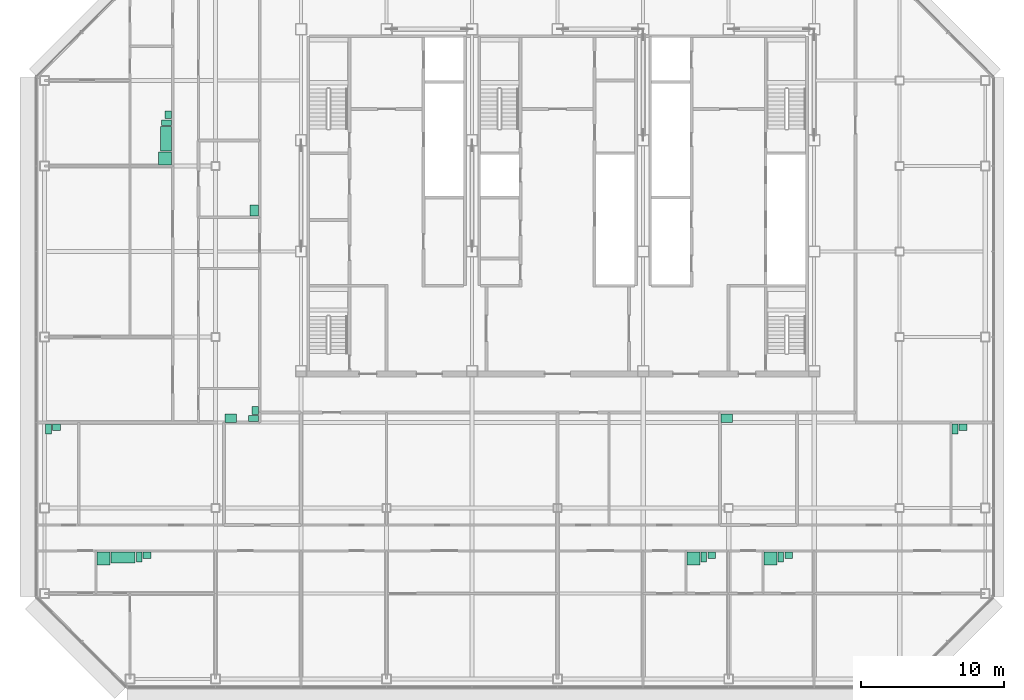
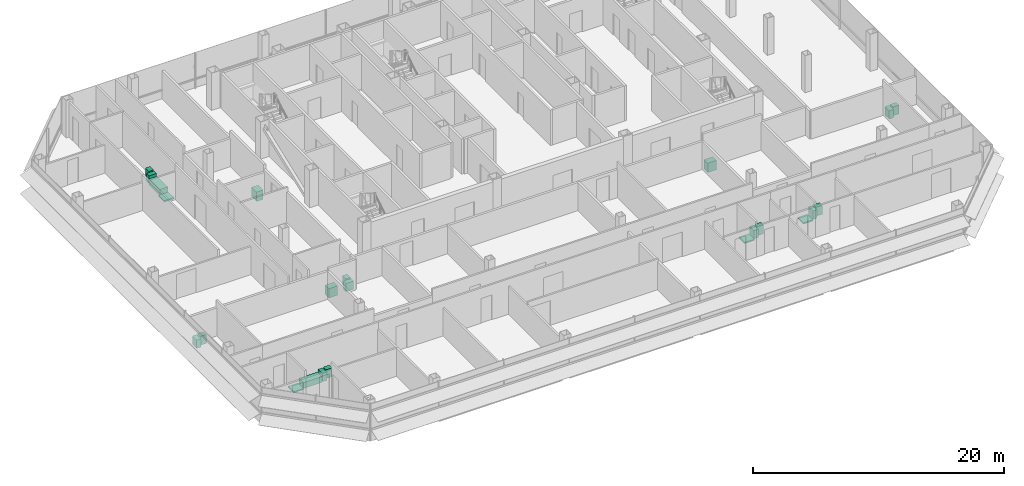
# One storey, part 27 of 27: 23 sanitary terminals.
"""IFC4 building model written with IfcOpenShell, lengths in metres."""

from ifc_helpers import new_model, si_unit, direction, frame, origin, origin_2d, place, context, subcontext, project, spatial, rectangle, extrude, element, save


model = new_model("IFC4")

# Units and contexts
model_context = context("Model", 3, precision=1e-05, world=origin(), true_north=direction((0.0, 1.0)))
body_context = subcontext(model_context, "Body", "Model", "MODEL_VIEW")
ifc_project = project(units=[si_unit("LENGTHUNIT", "METRE"), si_unit("AREAUNIT", "SQUARE_METRE"), si_unit("VOLUMEUNIT", "CUBIC_METRE"), si_unit("PLANEANGLEUNIT", "RADIAN"), si_unit("MASSUNIT", "GRAM", prefix="KILO")], contexts=[model_context])

# Site, building, storey
site_placement = place(None, origin())
site = spatial("IfcSite", under=ifc_project, at=site_placement, CompositionType="ELEMENT")
building_placement = place(site_placement, origin())
building = spatial("IfcBuilding", under=site, at=building_placement, Name="Sorahane Residences", CompositionType="ELEMENT")
storey_placement = place(building_placement, frame((0.0, 0.0, 239.60009765625)))
storey = spatial("IfcBuildingStorey", under=building, at=storey_placement, Name="L56", CompositionType="ELEMENT", Elevation=239.60009765625)

# Sanitary terminals
sanitary_terminal_1_placement = place(storey_placement, frame((-7.8701171875, 8.449951171875, -0.000244140625), z_axis=(0.0, 0.0, 1.0), x_axis=(1.0, 0.0, 0.0)))
element("IfcSanitaryTerminal", 1, at=sanitary_terminal_1_placement, inside=storey, Name="Shower tray En-suite bathroom 56A", PredefinedType="SHOWER", context=body_context, shape_type="SweptSolid", body=[
    extrude(rectangle(XDim=0.89990234375, YDim=0.89990234375, at=origin_2d()), origin(), (0.0, 0.0, 1.0), 0.1201171875),
])
sanitary_terminal_2_placement = place(storey_placement, frame((-6.489990234375, 8.52490234375, -0.000244140625), z_axis=(0.0, 0.0, 1.0), x_axis=(1.0, 0.0, 0.0)))
element("IfcSanitaryTerminal", 2, at=sanitary_terminal_2_placement, inside=storey, Name="Bath En-suite bathroom 56A", PredefinedType="BATH", context=body_context, shape_type="SweptSolid", body=[
    extrude(rectangle(XDim=1.699951171875, YDim=0.75, at=origin_2d()), origin(), (0.0, 0.0, 1.0), 0.56005859375),
])
sanitary_terminal_3_placement = place(storey_placement, frame((-5.360107421875, 8.550048828125, 0.0), z_axis=(0.0, 0.0, 1.0), x_axis=(1.0, 0.0, 0.0)))
element("IfcSanitaryTerminal", 3, at=sanitary_terminal_3_placement, inside=storey, Name="WC pan En-suite bathroom 56A", PredefinedType="TOILETPAN", context=body_context, shape_type="SweptSolid", body=[
    extrude(rectangle(XDim=0.39990234375, YDim=0.699951171875, at=origin_2d()), origin(), (0.0, 0.0, 1.0), 0.800048828125),
])
sanitary_terminal_4_placement = place(storey_placement, frame((-4.804931640625, 8.675048828125, -0.000244140625), z_axis=(0.0, 0.0, 1.0), x_axis=(1.0, 0.0, 0.0)))
element("IfcSanitaryTerminal", 4, at=sanitary_terminal_4_placement, inside=storey, Name="Wash basin En-suite bathroom 56A", PredefinedType="WASHHANDBASIN", context=body_context, shape_type="SweptSolid", body=[
    extrude(rectangle(XDim=0.550048828125, YDim=0.449951171875, at=origin_2d()), origin(), (0.0, 0.0, 1.0), 0.85009765625),
])
sanitary_terminal_5_placement = place(storey_placement, frame((-11.719970703125, 17.550048828125, 0.0), z_axis=(0.0, 0.0, 1.0), x_axis=(1.0, 0.0, 0.0)))
element("IfcSanitaryTerminal", 5, at=sanitary_terminal_5_placement, inside=storey, Name="WC pan Powder room 56A", PredefinedType="TOILETPAN", context=body_context, shape_type="SweptSolid", body=[
    extrude(rectangle(XDim=0.39990234375, YDim=0.699951171875, at=origin_2d()), origin(), (0.0, 0.0, 1.0), 0.800048828125),
])
sanitary_terminal_6_placement = place(storey_placement, frame((-11.1650390625, 17.675048828125, -0.000244140625), z_axis=(0.0, 0.0, 1.0), x_axis=(1.0, 0.0, 0.0)))
element("IfcSanitaryTerminal", 6, at=sanitary_terminal_6_placement, inside=storey, Name="Wash basin Powder room 56A", PredefinedType="WASHHANDBASIN", context=body_context, shape_type="SweptSolid", body=[
    extrude(rectangle(XDim=0.550048828125, YDim=0.449951171875, at=origin_2d()), origin(), (0.0, 0.0, 1.0), 0.85009765625),
])
sanitary_terminal_7_placement = place(storey_placement, frame((1.080078125, 18.300048828125, 0.0), z_axis=(0.0, 0.0, 1.0), x_axis=(1.0, 0.0, 0.0)))
element("IfcSanitaryTerminal", 7, at=sanitary_terminal_7_placement, inside=storey, Name="Kitchen sink Kitchen 56A", PredefinedType="SINK", context=body_context, shape_type="SweptSolid", body=[
    extrude(rectangle(XDim=0.800048828125, YDim=0.60009765625, at=origin_2d()), origin(), (0.0, 0.0, 1.0), 0.89990234375),
])
sanitary_terminal_8_placement = place(storey_placement, frame((33.530029296875, 8.449951171875, -0.000244140625), z_axis=(0.0, 0.0, 1.0), x_axis=(1.0, 0.0, 0.0)))
element("IfcSanitaryTerminal", 8, at=sanitary_terminal_8_placement, inside=storey, Name="Shower tray En-suite bathroom 56B", PredefinedType="SHOWER", context=body_context, shape_type="SweptSolid", body=[
    extrude(rectangle(XDim=0.89990234375, YDim=0.89990234375, at=origin_2d()), origin(), (0.0, 0.0, 1.0), 0.1201171875),
])
sanitary_terminal_9_placement = place(storey_placement, frame((34.260009765625, 8.550048828125, 0.0), z_axis=(0.0, 0.0, 1.0), x_axis=(1.0, 0.0, 0.0)))
element("IfcSanitaryTerminal", 9, at=sanitary_terminal_9_placement, inside=storey, Name="WC pan En-suite bathroom 56B", PredefinedType="TOILETPAN", context=body_context, shape_type="SweptSolid", body=[
    extrude(rectangle(XDim=0.39990234375, YDim=0.699951171875, at=origin_2d()), origin(), (0.0, 0.0, 1.0), 0.800048828125),
])
sanitary_terminal_10_placement = place(storey_placement, frame((34.81494140625, 8.675048828125, -0.000244140625), z_axis=(0.0, 0.0, 1.0), x_axis=(1.0, 0.0, 0.0)))
element("IfcSanitaryTerminal", 10, at=sanitary_terminal_10_placement, inside=storey, Name="Wash basin En-suite bathroom 56B", PredefinedType="WASHHANDBASIN", context=body_context, shape_type="SweptSolid", body=[
    extrude(rectangle(XDim=0.550048828125, YDim=0.449951171875, at=origin_2d()), origin(), (0.0, 0.0, 1.0), 0.85009765625),
])
sanitary_terminal_11_placement = place(storey_placement, frame((38.929931640625, 8.449951171875, -0.000244140625), z_axis=(0.0, 0.0, 1.0), x_axis=(1.0, 0.0, 0.0)))
element("IfcSanitaryTerminal", 11, at=sanitary_terminal_11_placement, inside=storey, Name="Shower tray En-suite bathroom 56B-2", PredefinedType="SHOWER", context=body_context, shape_type="SweptSolid", body=[
    extrude(rectangle(XDim=0.89990234375, YDim=0.89990234375, at=origin_2d()), origin(), (0.0, 0.0, 1.0), 0.1201171875),
])
sanitary_terminal_12_placement = place(storey_placement, frame((39.659912109375, 8.550048828125, 0.0), z_axis=(0.0, 0.0, 1.0), x_axis=(1.0, 0.0, 0.0)))
element("IfcSanitaryTerminal", 12, at=sanitary_terminal_12_placement, inside=storey, Name="WC pan En-suite bathroom 56B-2", PredefinedType="TOILETPAN", context=body_context, shape_type="SweptSolid", body=[
    extrude(rectangle(XDim=0.39990234375, YDim=0.699951171875, at=origin_2d()), origin(), (0.0, 0.0, 1.0), 0.800048828125),
])
sanitary_terminal_13_placement = place(storey_placement, frame((40.215087890625, 8.675048828125, -0.000244140625), z_axis=(0.0, 0.0, 1.0), x_axis=(1.0, 0.0, 0.0)))
element("IfcSanitaryTerminal", 13, at=sanitary_terminal_13_placement, inside=storey, Name="Wash basin En-suite bathroom 56B-2", PredefinedType="WASHHANDBASIN", context=body_context, shape_type="SweptSolid", body=[
    extrude(rectangle(XDim=0.550048828125, YDim=0.449951171875, at=origin_2d()), origin(), (0.0, 0.0, 1.0), 0.85009765625),
])
sanitary_terminal_14_placement = place(storey_placement, frame((35.8798828125, 18.300048828125, 0.0), z_axis=(0.0, 0.0, 1.0), x_axis=(1.0, 0.0, 0.0)))
element("IfcSanitaryTerminal", 14, at=sanitary_terminal_14_placement, inside=storey, Name="Kitchen sink Kitchen 56B", PredefinedType="SINK", context=body_context, shape_type="SweptSolid", body=[
    extrude(rectangle(XDim=0.800048828125, YDim=0.60009765625, at=origin_2d()), origin(), (0.0, 0.0, 1.0), 0.89990234375),
])
sanitary_terminal_15_placement = place(storey_placement, frame((51.8798828125, 17.550048828125, 0.0), z_axis=(0.0, 0.0, 1.0), x_axis=(1.0, 0.0, 0.0)))
element("IfcSanitaryTerminal", 15, at=sanitary_terminal_15_placement, inside=storey, Name="WC pan Powder room 56B", PredefinedType="TOILETPAN", context=body_context, shape_type="SweptSolid", body=[
    extrude(rectangle(XDim=0.39990234375, YDim=0.699951171875, at=origin_2d()), origin(), (0.0, 0.0, 1.0), 0.800048828125),
])
sanitary_terminal_16_placement = place(storey_placement, frame((52.43505859375, 17.675048828125, -0.000244140625), z_axis=(0.0, 0.0, 1.0), x_axis=(1.0, 0.0, 0.0)))
element("IfcSanitaryTerminal", 16, at=sanitary_terminal_16_placement, inside=storey, Name="Wash basin Powder room 56B", PredefinedType="WASHHANDBASIN", context=body_context, shape_type="SweptSolid", body=[
    extrude(rectangle(XDim=0.550048828125, YDim=0.449951171875, at=origin_2d()), origin(), (0.0, 0.0, 1.0), 0.85009765625),
])
sanitary_terminal_17_placement = place(storey_placement, frame((-3.550048828125, 36.530029296875, -0.000244140625), z_axis=(0.0, 0.0, 1.0), x_axis=(0.0, -1.0, 0.0)))
element("IfcSanitaryTerminal", 17, at=sanitary_terminal_17_placement, inside=storey, Name="Shower tray En-suite bathroom 56C", PredefinedType="SHOWER", context=body_context, shape_type="SweptSolid", body=[
    extrude(rectangle(XDim=0.89990234375, YDim=0.89990234375, at=origin_2d()), origin(), (0.0, 0.0, 1.0), 0.1201171875),
])
sanitary_terminal_18_placement = place(storey_placement, frame((-3.47509765625, 37.909912109375, -0.000244140625), z_axis=(0.0, 0.0, 1.0), x_axis=(0.0, -1.0, 0.0)))
element("IfcSanitaryTerminal", 18, at=sanitary_terminal_18_placement, inside=storey, Name="Bath En-suite bathroom 56C", PredefinedType="BATH", context=body_context, shape_type="SweptSolid", body=[
    extrude(rectangle(XDim=1.699951171875, YDim=0.75, at=origin_2d()), origin(), (0.0, 0.0, 1.0), 0.56005859375),
])
sanitary_terminal_19_placement = place(storey_placement, frame((-3.449951171875, 39.0400390625, 0.0), z_axis=(0.0, 0.0, 1.0), x_axis=(0.0, -1.0, 0.0)))
element("IfcSanitaryTerminal", 19, at=sanitary_terminal_19_placement, inside=storey, Name="WC pan En-suite bathroom 56C", PredefinedType="TOILETPAN", context=body_context, shape_type="SweptSolid", body=[
    extrude(rectangle(XDim=0.39990234375, YDim=0.699951171875, at=origin_2d()), origin(), (0.0, 0.0, 1.0), 0.800048828125),
])
sanitary_terminal_20_placement = place(storey_placement, frame((-3.324951171875, 39.594970703125, -0.000244140625), z_axis=(0.0, 0.0, 1.0), x_axis=(0.0, -1.0, 0.0)))
element("IfcSanitaryTerminal", 20, at=sanitary_terminal_20_placement, inside=storey, Name="Wash basin En-suite bathroom 56C", PredefinedType="WASHHANDBASIN", context=body_context, shape_type="SweptSolid", body=[
    extrude(rectangle(XDim=0.550048828125, YDim=0.449951171875, at=origin_2d()), origin(), (0.0, 0.0, 1.0), 0.85009765625),
])
sanitary_terminal_21_placement = place(storey_placement, frame((2.64990234375, 18.280029296875, 0.0), z_axis=(0.0, 0.0, 1.0), x_axis=(0.0, -1.0, 0.0)))
element("IfcSanitaryTerminal", 21, at=sanitary_terminal_21_placement, inside=storey, Name="WC pan Powder room 56C", PredefinedType="TOILETPAN", context=body_context, shape_type="SweptSolid", body=[
    extrude(rectangle(XDim=0.39990234375, YDim=0.699951171875, at=origin_2d()), origin(), (0.0, 0.0, 1.0), 0.800048828125),
])
sanitary_terminal_22_placement = place(storey_placement, frame((2.77490234375, 18.8349609375, -0.000244140625), z_axis=(0.0, 0.0, 1.0), x_axis=(0.0, -1.0, 0.0)))
element("IfcSanitaryTerminal", 22, at=sanitary_terminal_22_placement, inside=storey, Name="Wash basin Powder room 56C", PredefinedType="WASHHANDBASIN", context=body_context, shape_type="SweptSolid", body=[
    extrude(rectangle(XDim=0.550048828125, YDim=0.449951171875, at=origin_2d()), origin(), (0.0, 0.0, 1.0), 0.85009765625),
])
sanitary_terminal_23_placement = place(storey_placement, frame((2.699951171875, 32.8798828125, 0.0), z_axis=(0.0, 0.0, 1.0), x_axis=(0.0, -1.0, 0.0)))
element("IfcSanitaryTerminal", 23, at=sanitary_terminal_23_placement, inside=storey, Name="Kitchen sink Kitchen 56C", PredefinedType="SINK", context=body_context, shape_type="SweptSolid", body=[
    extrude(rectangle(XDim=0.800048828125, YDim=0.60009765625, at=origin_2d()), origin(), (0.0, 0.0, 1.0), 0.89990234375),
])

save(model, "model.ifc")
